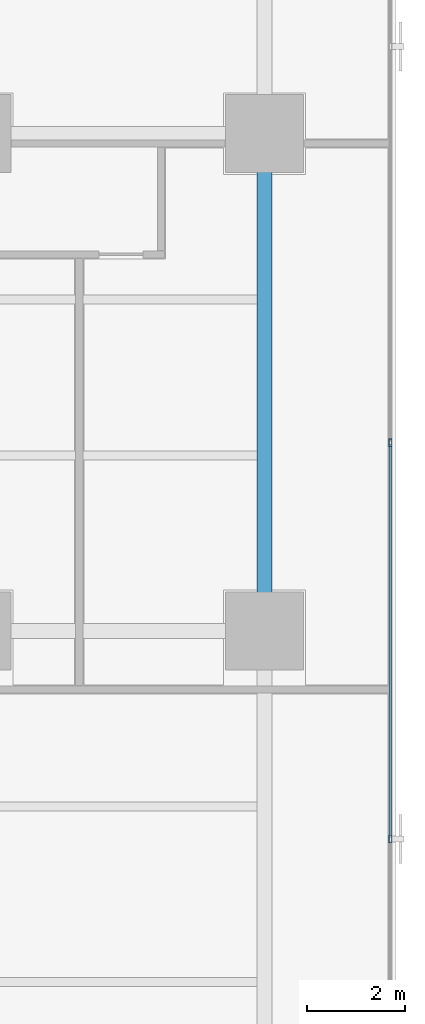
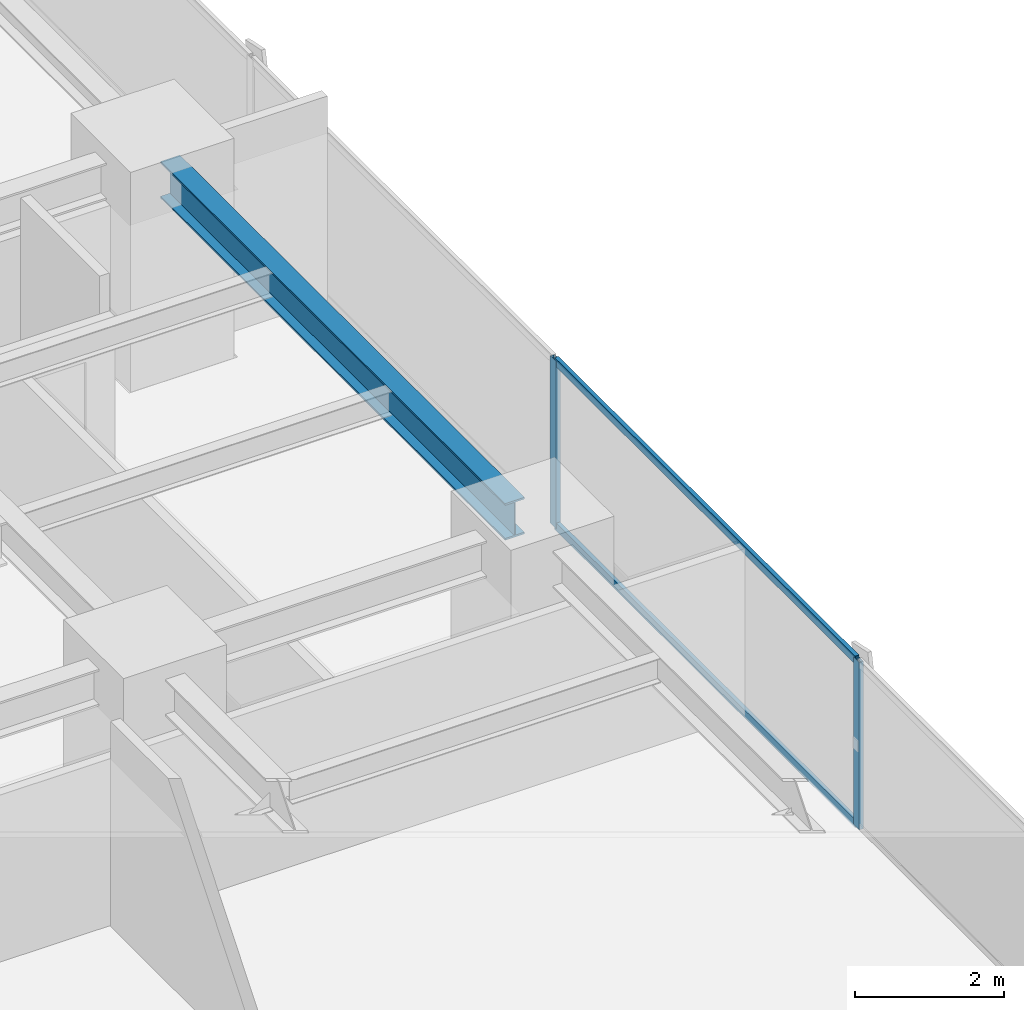
# One storey, part 16 of 37: 4 members, 1 beam, 1 element without a shape of its own.
"""IFC4 building model written with IfcOpenShell, lengths in metres."""

from ifc_helpers import new_model, si_unit, direction, frame, origin, origin_2d, place, context, subcontext, project, spatial, hollow_rectangle, i_section, extrude, source, transform, mapped, material, layer, layer_set, material_profile, profile_set, type_object, element, aggregate, save


model = new_model("IFC4")

# Units and contexts
model_context = context("Model", 3, precision=1e-05, world=origin(), true_north=direction((0.0, 1.0)))
body_context = subcontext(model_context, "Body", "Model", "MODEL_VIEW")
ifc_project = project(units=[si_unit("LENGTHUNIT", "METRE"), si_unit("AREAUNIT", "SQUARE_METRE"), si_unit("VOLUMEUNIT", "CUBIC_METRE"), si_unit("PLANEANGLEUNIT", "RADIAN"), si_unit("MASSUNIT", "GRAM", prefix="KILO")], contexts=[model_context])

# Site, building, storey
site_placement = place(None, origin())
site = spatial("IfcSite", under=ifc_project, at=site_placement, CompositionType="ELEMENT")
building_placement = place(site_placement, origin())
building = spatial("IfcBuilding", under=site, at=building_placement, Name="Sumidabori Civic Tower", CompositionType="ELEMENT")
storey_placement = place(building_placement, frame((0.0, 0.0, 95.60009765625)))
storey = spatial("IfcBuildingStorey", under=building, at=storey_placement, Name="L24", CompositionType="ELEMENT", Elevation=95.60009765625)

# Beam
ifc_material_1 = material(Name="Steel SN490", Category="steel")
ifc_material_profile_1 = material_profile(ifc_material_1, i_section(OverallWidth=0.300048828125, OverallDepth=0.60009765625, WebThickness=0.015380859375, FlangeThickness=0.030029296875, at=origin_2d()), Name="HE 600 B")
ifc_profile_set_1 = profile_set([ifc_material_profile_1], Name="Steel SN490")
beam_type = type_object("IfcBeamType", Name="BM-GIRD-600", PredefinedType="BEAM", material=ifc_profile_set_1)
shared_shape_1 = source(origin(), body_context, "Body", "SweptSolid", [
    extrude(i_section(OverallWidth=0.300048828125, OverallDepth=0.60009765625, WebThickness=0.015380859375, FlangeThickness=0.030029296875, at=origin_2d()), origin(), (0.0, 0.0, 1.0), 9.239990234375),
])
beam_placement = place(storey_placement, frame((22.800048828125, 0.47998046875, 3.059814453125), z_axis=(0.0, 1.0, 0.0), x_axis=(-1.0, 0.0, 0.0)))
element("IfcBeam", 1, at=beam_placement, inside=storey, type_object=beam_type, Name="Primary Girder L24 GY-41", PredefinedType="BEAM", context=body_context, shape_type="MappedRepresentation", body=[
    mapped(shared_shape_1, transform((0.0, 0.0, 0.0), x_axis=(1.0, 0.0, 0.0), y_axis=(0.0, 1.0, 0.0), z_axis=(0.0, 0.0, 1.0), scale=1.0)),
])

# Curtain wall, members
ifc_material_2 = material(Name="Anodised Bronze Aluminium AW-6063-T6", Category="aluminium")
ifc_layer = layer(ifc_material_2, 0.179931640625, Name="Anodised Bronze Aluminium AW-6063-T6")
ifc_layer_set = layer_set([ifc_layer], Name="Anodised Bronze Aluminium AW-6063-T6")
curtain_wall_type = type_object("IfcCurtainWallType", Name="CW-SYS-3", PredefinedType="NOTDEFINED", material=ifc_layer_set)
curtain_wall_placement = place(storey_placement, origin())
curtain_wall = element("IfcCurtainWall", 2, at=curtain_wall_placement, inside=storey, type_object=curtain_wall_type, Name="Curtain Wall CW:L24:R04", PredefinedType="NOTDEFINED")
ifc_material_profile_2 = material_profile(ifc_material_2, hollow_rectangle(XDim=0.06494140625, YDim=0.159912109375, WallThickness=0.0048828125, at=origin_2d()), Name="ALU MULLION 160x65")
ifc_profile_set_2 = profile_set([ifc_material_profile_2], Name="Anodised Bronze Aluminium AW-6063-T6")
member_type_1 = type_object("IfcMemberType", Name="CW-MUL-160", PredefinedType="MULLION", material=ifc_profile_set_2)
shared_shape_2 = source(origin(), body_context, "Body", "SweptSolid", [
    extrude(hollow_rectangle(XDim=0.06494140625, YDim=0.159912109375, WallThickness=0.0048828125, at=origin_2d()), origin(), (0.0, 0.0, 1.0), 2.739990234375),
])
member_1_placement = place(storey_placement, frame((25.3798828125, -4.263916015625, 0.0), z_axis=(0.0, 0.0, 1.0), x_axis=(-1.0, 0.0, 0.0)))
member_1 = element("IfcMember", 3, at=member_1_placement, type_object=member_type_1, Name="CW-3 mullion 3", PredefinedType="MULLION", context=body_context, shape_type="MappedRepresentation", body=[
    mapped(shared_shape_2, transform((0.0, 0.0, 0.0), x_axis=(1.0, 0.0, 0.0), y_axis=(0.0, 1.0, 0.0), z_axis=(0.0, 0.0, 1.0), scale=1.0)),
])
member_2_placement = place(storey_placement, frame((25.3798828125, 3.864013671875, 0.0), z_axis=(0.0, 0.0, 1.0), x_axis=(-1.0, 0.0, 0.0)))
member_2 = element("IfcMember", 4, at=member_2_placement, type_object=member_type_1, Name="CW-3 mullion 4", PredefinedType="MULLION", context=body_context, shape_type="MappedRepresentation", body=[
    mapped(shared_shape_2, transform((0.0, 0.0, 0.0), x_axis=(1.0, 0.0, 0.0), y_axis=(0.0, 1.0, 0.0), z_axis=(0.0, 0.0, 1.0), scale=1.0)),
])
ifc_material_profile_3 = material_profile(ifc_material_2, hollow_rectangle(XDim=0.06005859375, YDim=0.1298828125, WallThickness=0.0048828125, at=origin_2d()), Name="ALU TRANSOM 130x60")
ifc_profile_set_3 = profile_set([ifc_material_profile_3], Name="Anodised Bronze Aluminium AW-6063-T6")
member_type_2 = type_object("IfcMemberType", Name="CW-TRN-130", PredefinedType="USERDEFINED", material=ifc_profile_set_3)
shared_shape_3 = source(origin(), body_context, "Body", "SweptSolid", [
    extrude(hollow_rectangle(XDim=0.06005859375, YDim=0.1298828125, WallThickness=0.0048828125, at=origin_2d()), origin(), (0.0, 0.0, 1.0), 8.06298828125),
])
member_3_placement = place(storey_placement, frame((25.3798828125, -4.2314453125, 0.02978515625), z_axis=(0.0, 1.0, 0.0), x_axis=(-1.0, 0.0, 0.0)))
member_3 = element("IfcMember", 5, at=member_3_placement, type_object=member_type_2, Name="CW-3 transom 3.1", ObjectType="TRANSOM", PredefinedType="USERDEFINED", context=body_context, shape_type="MappedRepresentation", body=[
    mapped(shared_shape_3, transform((0.0, 0.0, 0.0), x_axis=(1.0, 0.0, 0.0), y_axis=(0.0, 1.0, 0.0), z_axis=(0.0, 0.0, 1.0), scale=1.0)),
])
member_4_placement = place(storey_placement, frame((25.3798828125, -4.2314453125, 2.7099609375), z_axis=(0.0, 1.0, 0.0), x_axis=(-1.0, 0.0, 0.0)))
member_4 = element("IfcMember", 6, at=member_4_placement, type_object=member_type_2, Name="CW-3 transom 3.2", ObjectType="TRANSOM", PredefinedType="USERDEFINED", context=body_context, shape_type="MappedRepresentation", body=[
    mapped(shared_shape_3, transform((0.0, 0.0, 0.0), x_axis=(1.0, 0.0, 0.0), y_axis=(0.0, 1.0, 0.0), z_axis=(0.0, 0.0, 1.0), scale=1.0)),
])
aggregate(curtain_wall, [member_1, member_2, member_3, member_4])

save(model, "model.ifc")
